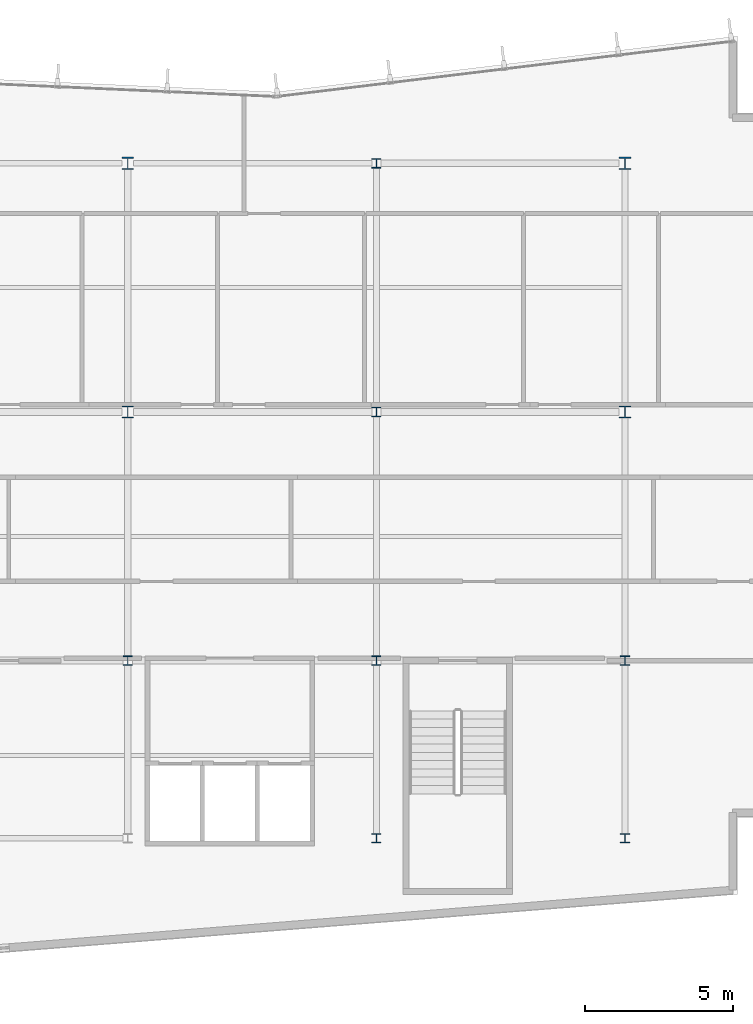
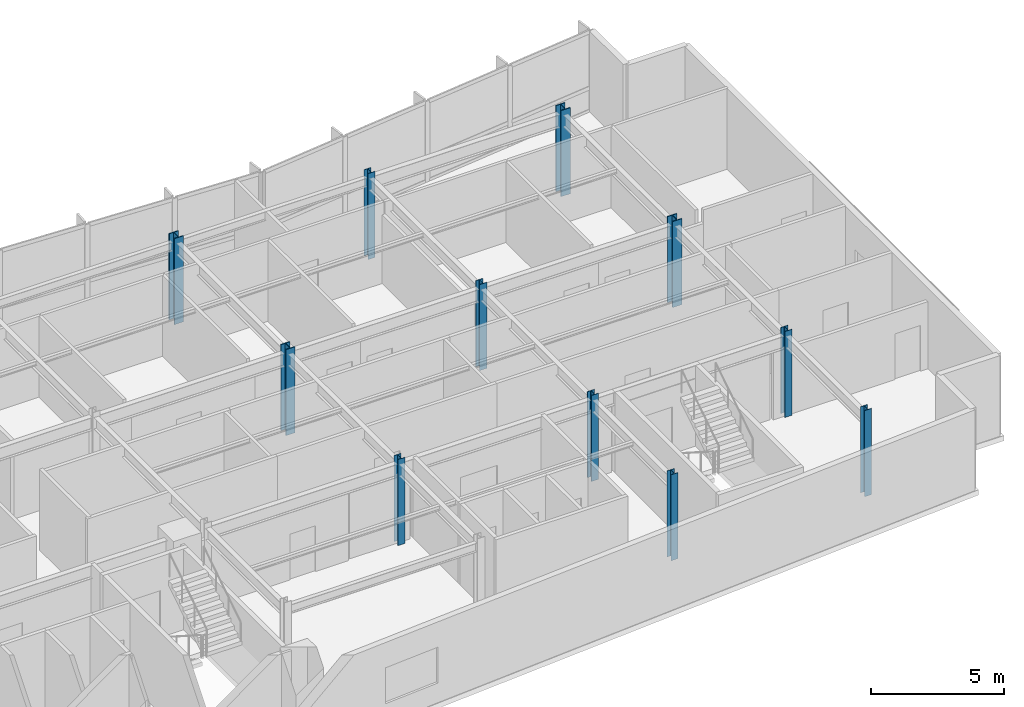
# One storey, part 2 of 18: 11 columns.
"""IFC4 building model written with IfcOpenShell, lengths in metres."""

from ifc_helpers import new_model, si_unit, direction, frame, origin, origin_2d, place, context, subcontext, project, spatial, i_section, extrude, material, material_profile, profile_set, type_object, element, save


model = new_model("IFC4")

# Units and contexts
model_context = context("Model", 3, precision=1e-05, world=origin(), true_north=direction((0.0, 1.0)))
body_context = subcontext(model_context, "Body", "Model", "MODEL_VIEW")
ifc_project = project(units=[si_unit("LENGTHUNIT", "METRE"), si_unit("AREAUNIT", "SQUARE_METRE"), si_unit("VOLUMEUNIT", "CUBIC_METRE"), si_unit("PLANEANGLEUNIT", "RADIAN"), si_unit("MASSUNIT", "GRAM", prefix="KILO")], contexts=[model_context])

# Site, building, storey
site_placement = place(None, origin())
site = spatial("IfcSite", under=ifc_project, at=site_placement, CompositionType="ELEMENT")
building_placement = place(site_placement, origin())
building = spatial("IfcBuilding", under=site, at=building_placement, Name="Varnakote Quay Hospital", CompositionType="ELEMENT")
storey_placement = place(building_placement, frame((0.0, 0.0, 154.699951171875)))
storey = spatial("IfcBuildingStorey", under=building, at=storey_placement, Name="L38", CompositionType="ELEMENT", Elevation=154.699951171875)

# Columns
ifc_material_1 = material(Name="Structural steel AS/NZS 3679.1 Grade 350 L0 (fy 340 MPa)", Category="steel")
ifc_material_profile_1 = material_profile(ifc_material_1, i_section(OverallWidth=0.306884765625, OverallDepth=0.31494140625, WebThickness=0.011962890625, FlangeThickness=0.018798828125, FilletRadius=0.0166015625, at=origin_2d()), Name="310UC118")
ifc_profile_set_1 = profile_set([ifc_material_profile_1], Name="Structural steel AS/NZS 3679.1 Grade 350 L0 (fy 340 MPa)")
column_type_1 = type_object("IfcColumnType", Name="COL-STL-310UC118", PredefinedType="COLUMN", material=ifc_profile_set_1)
for number, where, z_axis, x_axis, name in (
    (1, (42.0, 6.0, 0.0), (0.0, 0.0, 1.0), (1.0, 0.0, 0.0), "L38 Structural Column C-42-6"),
    (2, (50.39990234375, 6.0, 0.0), (0.0, 0.0, 1.0), (1.0, 0.0, 0.0), "L38 Structural Column C-50-6"),
    (3, (33.60009765625, 12.0, 0.0), (0.0, 0.0, 1.0), (1.0, 0.0, 0.0), "L38 Structural Column C-34-12"),
    (4, (42.0, 12.0, 0.0), (0.0, 0.0, 1.0), (1.0, 0.0, 0.0), "L38 Structural Column C-42-12"),
    (5, (50.39990234375, 12.0, 0.0), (0.0, 0.0, 1.0), (1.0, 0.0, 0.0), "L38 Structural Column C-50-12"),
    (6, (42.0, 20.39990234375, 0.0), (0.0, 0.0, 1.0), (1.0, 0.0, 0.0), "L38 Structural Column C-42-20"),
    (7, (42.0, 28.800048828125, 0.0), (0.0, 0.0, 1.0), (1.0, 0.0, 0.0), "L38 Structural Column C-42-29"),
):
    element("IfcColumn", number, at=place(storey_placement, frame(where, z_axis=z_axis, x_axis=x_axis)), inside=storey, type_object=column_type_1, Name=name, PredefinedType="COLUMN", context=body_context, shape_type="SweptSolid", body=[
        extrude(i_section(OverallWidth=0.306884765625, OverallDepth=0.31494140625, WebThickness=0.011962890625, FlangeThickness=0.018798828125, FilletRadius=0.0166015625, at=origin_2d()), origin(), (0.0, 0.0, 1.0), 3.949951171875),
    ])
ifc_material_2 = material(Name="Structural steel AS/NZS 3678 Grade 350 (fy 340 MPa)", Category="steel")
ifc_material_profile_2 = material_profile(ifc_material_2, i_section(OverallWidth=0.39990234375, OverallDepth=0.419921875, WebThickness=0.02490234375, FlangeThickness=0.0400390625, at=origin_2d()), Name="400WC328")
ifc_profile_set_2 = profile_set([ifc_material_profile_2], Name="Structural steel AS/NZS 3678 Grade 350 (fy 340 MPa)")
column_type_2 = type_object("IfcColumnType", Name="COL-STL-400WC328", PredefinedType="COLUMN", material=ifc_profile_set_2)
for number, where, z_axis, x_axis, name in (
    (8, (33.60009765625, 20.39990234375, 0.0), (0.0, 0.0, 1.0), (1.0, 0.0, 0.0), "L38 Structural Column C-34-20"),
    (9, (50.39990234375, 20.39990234375, 0.0), (0.0, 0.0, 1.0), (1.0, 0.0, 0.0), "L38 Structural Column C-50-20"),
    (10, (33.60009765625, 28.800048828125, 0.0), (0.0, 0.0, 1.0), (1.0, 0.0, 0.0), "L38 Structural Column C-34-29"),
    (11, (50.39990234375, 28.800048828125, 0.0), (0.0, 0.0, 1.0), (1.0, 0.0, 0.0), "L38 Structural Column C-50-29"),
):
    element("IfcColumn", number, at=place(storey_placement, frame(where, z_axis=z_axis, x_axis=x_axis)), inside=storey, type_object=column_type_2, Name=name, PredefinedType="COLUMN", context=body_context, shape_type="SweptSolid", body=[
        extrude(i_section(OverallWidth=0.39990234375, OverallDepth=0.419921875, WebThickness=0.02490234375, FlangeThickness=0.0400390625, at=origin_2d()), origin(), (0.0, 0.0, 1.0), 3.949951171875),
    ])

save(model, "model.ifc")
